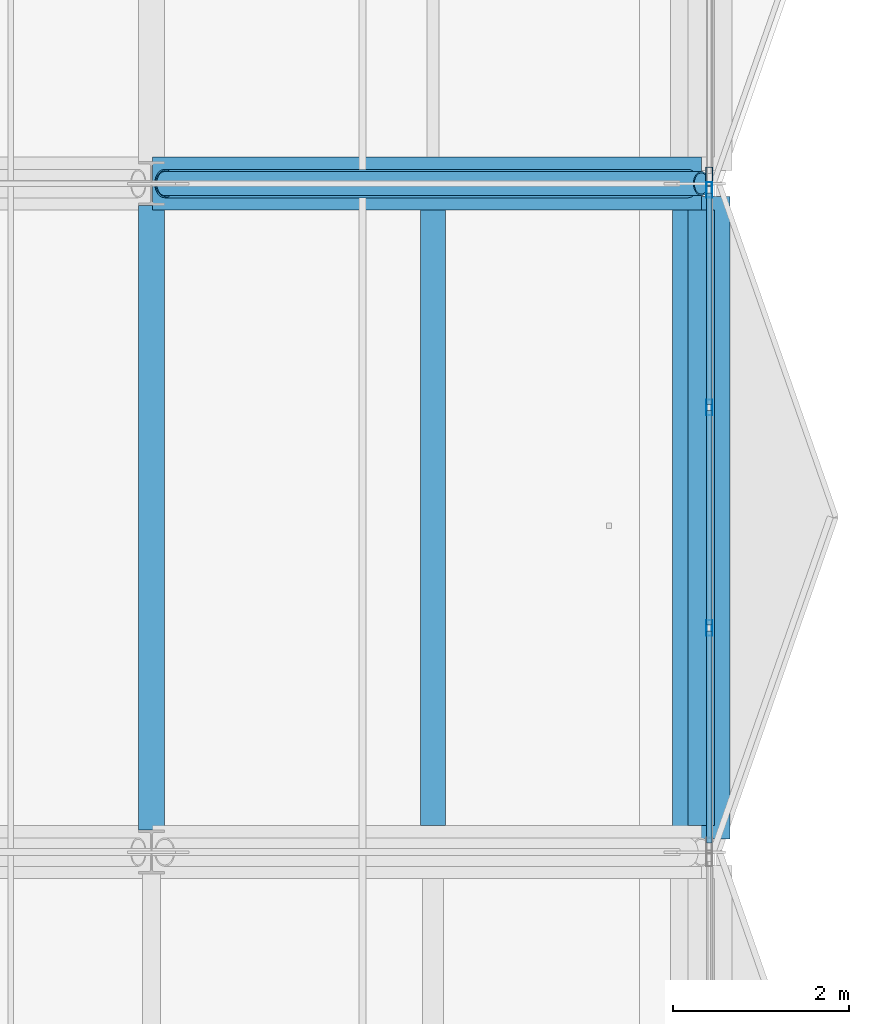
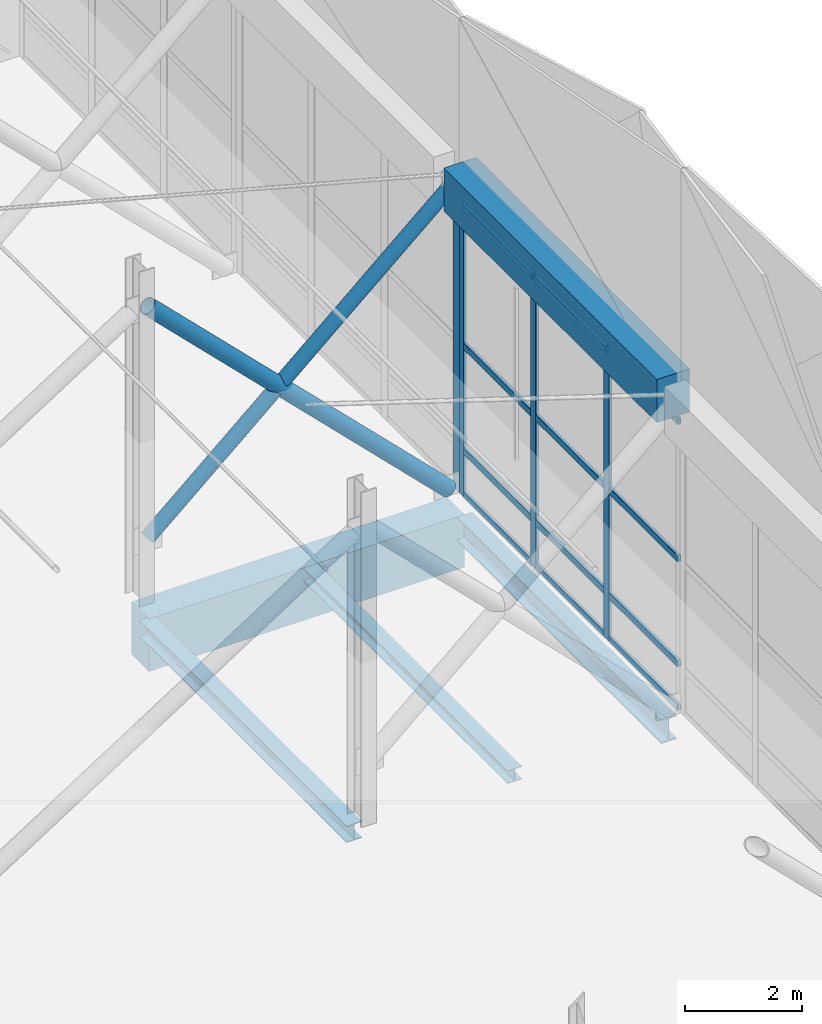
# One storey, part 10 of 46: 18 members, 5 beams, 2 elements without a shape of their own.
"""IFC4 building model written with IfcOpenShell, lengths in metres."""

from ifc_helpers import new_model, si_unit, direction, frame, origin, origin_2d, place, context, subcontext, project, spatial, rectangle, hollow_rectangle, hollow_circle, i_section, extrude, material, material_profile, profile_set, type_object, element, aggregate, save


model = new_model("IFC4")

# Units and contexts
model_context = context("Model", 3, precision=1e-05, world=origin(), true_north=direction((0.0, 1.0)))
body_context = subcontext(model_context, "Body", "Model", "MODEL_VIEW")
ifc_project = project(units=[si_unit("LENGTHUNIT", "METRE"), si_unit("AREAUNIT", "SQUARE_METRE"), si_unit("VOLUMEUNIT", "CUBIC_METRE"), si_unit("PLANEANGLEUNIT", "RADIAN"), si_unit("MASSUNIT", "GRAM", prefix="KILO")], contexts=[model_context])

# Site, building, storey
site_placement = place(None, origin())
site = spatial("IfcSite", under=ifc_project, at=site_placement, CompositionType="ELEMENT")
building_placement = place(site_placement, origin())
building = spatial("IfcBuilding", under=site, at=building_placement, Name="Khelvaren Railside Concert Hall", CompositionType="ELEMENT")
storey_placement = place(building_placement, frame((0.0, 0.0, 19.800048828125)))
storey = spatial("IfcBuildingStorey", under=building, at=storey_placement, Name="L04", CompositionType="ELEMENT", Elevation=19.800048828125)

# Beam
ifc_material_1 = material(Name="Steel S355", Category="steel")
ifc_material_profile_1 = material_profile(ifc_material_1, i_section(OverallWidth=0.300048828125, OverallDepth=0.35009765625, WebThickness=0.010009765625, FlangeThickness=0.017578125, FilletRadius=0.027099609375, at=origin_2d()), Name="HEA 360")
ifc_profile_set_1 = profile_set([ifc_material_profile_1], Name="Steel S355")
beam_type_1 = type_object("IfcBeamType", Name="BM73", PredefinedType="BEAM", material=ifc_profile_set_1)
beam_1_placement = place(storey_placement, frame((49.60009765625, 23.050048828125, -0.445068359375), z_axis=(0.0, 1.0, 0.0), x_axis=(-1.0, 0.0, 0.0)))
element("IfcBeam", 1, at=beam_1_placement, inside=storey, type_object=beam_type_1, Name="V1 L04 Beam Y7.4", PredefinedType="BEAM", context=body_context, shape_type="SweptSolid", body=[
    extrude(i_section(OverallWidth=0.300048828125, OverallDepth=0.35009765625, WebThickness=0.010009765625, FlangeThickness=0.017578125, FilletRadius=0.027099609375, at=origin_2d()), origin(), (0.0, 0.0, 1.0), 7.099853515625),
])

# Member
ifc_material_profile_2 = material_profile(ifc_material_1, hollow_circle(Radius=0.161865234375, WallThickness=0.01611328125, at=origin_2d()), Name="CHS 323.9x16")
ifc_profile_set_2 = profile_set([ifc_material_profile_2], Name="Steel S355")
member_type_1 = type_object("IfcMemberType", Name="BR78", PredefinedType="BRACE", material=ifc_profile_set_2)
member_1_placement = place(storey_placement, frame((49.75, 30.39990234375, 6.050048828125), z_axis=(0.710072403589, 0.0, -0.704128668399), x_axis=(0.0, 1.0, 0.0)))
element("IfcMember", 2, at=member_1_placement, inside=storey, type_object=member_type_1, Name="V1 L04 Plaza Cantilever Truss Diagonal 5A", PredefinedType="BRACE", context=body_context, shape_type="SweptSolid", body=[
    extrude(hollow_circle(Radius=0.161865234375, WallThickness=0.01611328125, at=origin_2d()), origin(), (0.0, 0.0, 1.0), 8.37939453125),
])

# Curtain wall, member
ifc_material_2 = material(Name="Double-glazed clear foyer glass", Category="glass")
curtain_wall_type_1 = type_object("IfcCurtainWallType", Name="CW68", PredefinedType="USERDEFINED", material=ifc_material_2)
curtain_wall_1_placement = place(storey_placement, origin())
curtain_wall_1 = element("IfcCurtainWall", 3, at=curtain_wall_1_placement, inside=storey, type_object=curtain_wall_type_1, Name="Unitised Curtain Wall CW-V1-L04-E-30", ObjectType="UNITISED CURTAIN WALL", PredefinedType="USERDEFINED")
ifc_material_3 = material(Name="Anodised architectural aluminium 6063-T6", Category="aluminium")
ifc_material_profile_3 = material_profile(ifc_material_3, hollow_rectangle(XDim=0.074951171875, YDim=0.219970703125, WallThickness=0.0048828125, InnerFilletRadius=0.0029296875, OuterFilletRadius=0.0048828125, at=origin_2d()), Name="CWM 75x220x5")
ifc_profile_set_3 = profile_set([ifc_material_profile_3], Name="Anodised architectural aluminium 6063-T6")
member_type_2 = type_object("IfcMemberType", Name="CWM13", PredefinedType="MULLION", material=ifc_profile_set_3)
member_2_placement = place(storey_placement, frame((55.93994140625, 30.4775390625, 0.0), z_axis=(0.0, 0.0, 1.0), x_axis=(1.0, 0.0, 0.0)))
member_2 = element("IfcMember", 4, at=member_2_placement, type_object=member_type_2, Name="CW68 mullion 4", PredefinedType="MULLION", context=body_context, shape_type="SweptSolid", body=[
    extrude(hollow_rectangle(XDim=0.074951171875, YDim=0.219970703125, WallThickness=0.0048828125, InnerFilletRadius=0.0029296875, OuterFilletRadius=0.0048828125, at=origin_2d()), origin(), (0.0, 0.0, 1.0), 6.050048828125),
])
aggregate(curtain_wall_1, [member_2])

# Curtain wall, members
ifc_material_4 = material(Name="Double-glazed low-E dark acoustic glass", Category="glass")
curtain_wall_type_2 = type_object("IfcCurtainWallType", Name="CW65", PredefinedType="USERDEFINED", material=ifc_material_4)
curtain_wall_2_placement = place(storey_placement, origin())
curtain_wall_2 = element("IfcCurtainWall", 5, at=curtain_wall_2_placement, inside=storey, type_object=curtain_wall_type_2, Name="Unitised Curtain Wall CW-V1-L04-E-23", ObjectType="UNITISED CURTAIN WALL", PredefinedType="USERDEFINED")
ifc_material_profile_4 = material_profile(ifc_material_3, hollow_rectangle(XDim=0.06494140625, YDim=0.179931640625, WallThickness=0.00390625, InnerFilletRadius=0.001953125, OuterFilletRadius=0.00390625, at=origin_2d()), Name="CWM 65x180x4")
ifc_profile_set_4 = profile_set([ifc_material_profile_4], Name="Anodised architectural aluminium 6063-T6")
member_type_3 = type_object("IfcMemberType", Name="CWM63", PredefinedType="MULLION", material=ifc_profile_set_4)
member_3_placement = place(storey_placement, frame((55.93994140625, 30.327392578125, 0.0), z_axis=(0.0, 0.0, 1.0), x_axis=(1.0, 0.0, 0.0)))
member_3 = element("IfcMember", 6, at=member_3_placement, type_object=member_type_3, Name="CW65 mullion 1", PredefinedType="MULLION", context=body_context, shape_type="SweptSolid", body=[
    extrude(hollow_rectangle(XDim=0.06494140625, YDim=0.179931640625, WallThickness=0.00390625, InnerFilletRadius=0.001953125, OuterFilletRadius=0.00390625, at=origin_2d()), origin(), (0.0, 0.0, 1.0), 6.050048828125),
])
member_4_placement = place(storey_placement, frame((55.93994140625, 27.853271484375, 0.0), z_axis=(0.0, 0.0, 1.0), x_axis=(1.0, 0.0, 0.0)))
member_4 = element("IfcMember", 7, at=member_4_placement, type_object=member_type_3, Name="CW65 mullion 2", PredefinedType="MULLION", context=body_context, shape_type="SweptSolid", body=[
    extrude(hollow_rectangle(XDim=0.06494140625, YDim=0.179931640625, WallThickness=0.00390625, InnerFilletRadius=0.001953125, OuterFilletRadius=0.00390625, at=origin_2d()), origin(), (0.0, 0.0, 1.0), 6.050048828125),
])
member_5_placement = place(storey_placement, frame((55.93994140625, 25.3466796875, 0.0), z_axis=(0.0, 0.0, 1.0), x_axis=(1.0, 0.0, 0.0)))
member_5 = element("IfcMember", 8, at=member_5_placement, type_object=member_type_3, Name="CW65 mullion 3", PredefinedType="MULLION", context=body_context, shape_type="SweptSolid", body=[
    extrude(hollow_rectangle(XDim=0.06494140625, YDim=0.179931640625, WallThickness=0.00390625, InnerFilletRadius=0.001953125, OuterFilletRadius=0.00390625, at=origin_2d()), origin(), (0.0, 0.0, 1.0), 6.050048828125),
])
ifc_material_profile_5 = material_profile(ifc_material_3, hollow_rectangle(XDim=0.06494140625, YDim=0.139892578125, WallThickness=0.00390625, InnerFilletRadius=0.001953125, OuterFilletRadius=0.00390625, at=origin_2d()), Name="CWT 65x140x4")
ifc_profile_set_5 = profile_set([ifc_material_profile_5], Name="Anodised architectural aluminium 6063-T6")
member_type_4 = type_object("IfcMemberType", Name="CWT72", PredefinedType="USERDEFINED", material=ifc_profile_set_5)
member_6_placement = place(storey_placement, frame((55.93994140625, 30.294921875, 0.032470703125), z_axis=(0.0, -1.0, 0.0), x_axis=(1.0, 0.0, 0.0)))
member_6 = element("IfcMember", 9, at=member_6_placement, type_object=member_type_4, Name="CW65 transom 1.1", ObjectType="TRANSOM", PredefinedType="USERDEFINED", context=body_context, shape_type="SweptSolid", body=[
    extrude(hollow_rectangle(XDim=0.06494140625, YDim=0.139892578125, WallThickness=0.00390625, InnerFilletRadius=0.001953125, OuterFilletRadius=0.00390625, at=origin_2d()), origin(), (0.0, 0.0, 1.0), 2.4091796875),
])
member_7_placement = place(storey_placement, frame((55.93994140625, 30.294921875, 0.949951171875), z_axis=(0.0, -1.0, 0.0), x_axis=(1.0, 0.0, 0.0)))
member_7 = element("IfcMember", 10, at=member_7_placement, type_object=member_type_4, Name="CW65 transom 1.2", ObjectType="TRANSOM", PredefinedType="USERDEFINED", context=body_context, shape_type="SweptSolid", body=[
    extrude(hollow_rectangle(XDim=0.06494140625, YDim=0.139892578125, WallThickness=0.00390625, InnerFilletRadius=0.001953125, OuterFilletRadius=0.00390625, at=origin_2d()), origin(), (0.0, 0.0, 1.0), 2.4091796875),
])
member_8_placement = place(storey_placement, frame((55.93994140625, 30.294921875, 3.14599609375), z_axis=(0.0, -1.0, 0.0), x_axis=(1.0, 0.0, 0.0)))
member_8 = element("IfcMember", 11, at=member_8_placement, type_object=member_type_4, Name="CW65 transom 1.3", ObjectType="TRANSOM", PredefinedType="USERDEFINED", context=body_context, shape_type="SweptSolid", body=[
    extrude(hollow_rectangle(XDim=0.06494140625, YDim=0.139892578125, WallThickness=0.00390625, InnerFilletRadius=0.001953125, OuterFilletRadius=0.00390625, at=origin_2d()), origin(), (0.0, 0.0, 1.0), 2.4091796875),
])
member_9_placement = place(storey_placement, frame((55.93994140625, 30.294921875, 6.017333984375), z_axis=(0.0, -1.0, 0.0), x_axis=(1.0, 0.0, 0.0)))
member_9 = element("IfcMember", 12, at=member_9_placement, type_object=member_type_4, Name="CW65 transom 1.4", ObjectType="TRANSOM", PredefinedType="USERDEFINED", context=body_context, shape_type="SweptSolid", body=[
    extrude(hollow_rectangle(XDim=0.06494140625, YDim=0.139892578125, WallThickness=0.00390625, InnerFilletRadius=0.001953125, OuterFilletRadius=0.00390625, at=origin_2d()), origin(), (0.0, 0.0, 1.0), 2.4091796875),
])
member_10_placement = place(storey_placement, frame((55.93994140625, 27.82080078125, 0.032470703125), z_axis=(0.0, -1.0, 0.0), x_axis=(1.0, 0.0, 0.0)))
member_10 = element("IfcMember", 13, at=member_10_placement, type_object=member_type_4, Name="CW65 transom 2.1", ObjectType="TRANSOM", PredefinedType="USERDEFINED", context=body_context, shape_type="SweptSolid", body=[
    extrude(hollow_rectangle(XDim=0.06494140625, YDim=0.139892578125, WallThickness=0.00390625, InnerFilletRadius=0.001953125, OuterFilletRadius=0.00390625, at=origin_2d()), origin(), (0.0, 0.0, 1.0), 2.441650390625),
])
member_11_placement = place(storey_placement, frame((55.93994140625, 27.82080078125, 0.949951171875), z_axis=(0.0, -1.0, 0.0), x_axis=(1.0, 0.0, 0.0)))
member_11 = element("IfcMember", 14, at=member_11_placement, type_object=member_type_4, Name="CW65 transom 2.2", ObjectType="TRANSOM", PredefinedType="USERDEFINED", context=body_context, shape_type="SweptSolid", body=[
    extrude(hollow_rectangle(XDim=0.06494140625, YDim=0.139892578125, WallThickness=0.00390625, InnerFilletRadius=0.001953125, OuterFilletRadius=0.00390625, at=origin_2d()), origin(), (0.0, 0.0, 1.0), 2.441650390625),
])
member_12_placement = place(storey_placement, frame((55.93994140625, 27.82080078125, 3.14599609375), z_axis=(0.0, -1.0, 0.0), x_axis=(1.0, 0.0, 0.0)))
member_12 = element("IfcMember", 15, at=member_12_placement, type_object=member_type_4, Name="CW65 transom 2.3", ObjectType="TRANSOM", PredefinedType="USERDEFINED", context=body_context, shape_type="SweptSolid", body=[
    extrude(hollow_rectangle(XDim=0.06494140625, YDim=0.139892578125, WallThickness=0.00390625, InnerFilletRadius=0.001953125, OuterFilletRadius=0.00390625, at=origin_2d()), origin(), (0.0, 0.0, 1.0), 2.441650390625),
])
member_13_placement = place(storey_placement, frame((55.93994140625, 27.82080078125, 6.017333984375), z_axis=(0.0, -1.0, 0.0), x_axis=(1.0, 0.0, 0.0)))
member_13 = element("IfcMember", 16, at=member_13_placement, type_object=member_type_4, Name="CW65 transom 2.4", ObjectType="TRANSOM", PredefinedType="USERDEFINED", context=body_context, shape_type="SweptSolid", body=[
    extrude(hollow_rectangle(XDim=0.06494140625, YDim=0.139892578125, WallThickness=0.00390625, InnerFilletRadius=0.001953125, OuterFilletRadius=0.00390625, at=origin_2d()), origin(), (0.0, 0.0, 1.0), 2.441650390625),
])
member_14_placement = place(storey_placement, frame((55.93994140625, 25.314208984375, 0.032470703125), z_axis=(0.0, -1.0, 0.0), x_axis=(1.0, 0.0, 0.0)))
member_14 = element("IfcMember", 17, at=member_14_placement, type_object=member_type_4, Name="CW65 transom 3.1", ObjectType="TRANSOM", PredefinedType="USERDEFINED", context=body_context, shape_type="SweptSolid", body=[
    extrude(hollow_rectangle(XDim=0.06494140625, YDim=0.139892578125, WallThickness=0.00390625, InnerFilletRadius=0.001953125, OuterFilletRadius=0.00390625, at=origin_2d()), origin(), (0.0, 0.0, 1.0), 2.4091796875),
])
member_15_placement = place(storey_placement, frame((55.93994140625, 25.314208984375, 0.949951171875), z_axis=(0.0, -1.0, 0.0), x_axis=(1.0, 0.0, 0.0)))
member_15 = element("IfcMember", 18, at=member_15_placement, type_object=member_type_4, Name="CW65 transom 3.2", ObjectType="TRANSOM", PredefinedType="USERDEFINED", context=body_context, shape_type="SweptSolid", body=[
    extrude(hollow_rectangle(XDim=0.06494140625, YDim=0.139892578125, WallThickness=0.00390625, InnerFilletRadius=0.001953125, OuterFilletRadius=0.00390625, at=origin_2d()), origin(), (0.0, 0.0, 1.0), 2.4091796875),
])
member_16_placement = place(storey_placement, frame((55.93994140625, 25.314208984375, 3.14599609375), z_axis=(0.0, -1.0, 0.0), x_axis=(1.0, 0.0, 0.0)))
member_16 = element("IfcMember", 19, at=member_16_placement, type_object=member_type_4, Name="CW65 transom 3.3", ObjectType="TRANSOM", PredefinedType="USERDEFINED", context=body_context, shape_type="SweptSolid", body=[
    extrude(hollow_rectangle(XDim=0.06494140625, YDim=0.139892578125, WallThickness=0.00390625, InnerFilletRadius=0.001953125, OuterFilletRadius=0.00390625, at=origin_2d()), origin(), (0.0, 0.0, 1.0), 2.4091796875),
])
member_17_placement = place(storey_placement, frame((55.93994140625, 25.314208984375, 6.017333984375), z_axis=(0.0, -1.0, 0.0), x_axis=(1.0, 0.0, 0.0)))
member_17 = element("IfcMember", 20, at=member_17_placement, type_object=member_type_4, Name="CW65 transom 3.4", ObjectType="TRANSOM", PredefinedType="USERDEFINED", context=body_context, shape_type="SweptSolid", body=[
    extrude(hollow_rectangle(XDim=0.06494140625, YDim=0.139892578125, WallThickness=0.00390625, InnerFilletRadius=0.001953125, OuterFilletRadius=0.00390625, at=origin_2d()), origin(), (0.0, 0.0, 1.0), 2.4091796875),
])
aggregate(curtain_wall_2, [member_3, member_4, member_5, member_6, member_7, member_8, member_9, member_10, member_11, member_12, member_13, member_14, member_15, member_16, member_17])

# Beams
ifc_material_5 = material(Name="Concrete C40/50", Category="concrete")
ifc_material_profile_6 = material_profile(ifc_material_5, rectangle(XDim=0.60009765625, YDim=1.10009765625, at=origin_2d()), Name="RCB 600x1100")
ifc_profile_set_6 = profile_set([ifc_material_profile_6], Name="Concrete C40/50")
beam_type_2 = type_object("IfcBeamType", Name="GR15", PredefinedType="T_BEAM", material=ifc_profile_set_6)
beam_2_placement = place(storey_placement, frame((49.610107421875, 30.39990234375, -0.820068359375), z_axis=(1.0, 0.0, 0.0), x_axis=(0.0, 1.0, 0.0)))
element("IfcBeam", 21, at=beam_2_placement, inside=storey, type_object=beam_type_2, Name="V1 L04 Arrival Cantilever Girder 5", PredefinedType="T_BEAM", context=body_context, shape_type="SweptSolid", body=[
    extrude(rectangle(XDim=0.60009765625, YDim=1.10009765625, at=origin_2d()), origin(), (0.0, 0.0, 1.0), 6.239990234375),
])
ifc_material_profile_7 = material_profile(ifc_material_1, i_section(OverallWidth=0.280029296875, OverallDepth=0.27001953125, WebThickness=0.008056640625, FlangeThickness=0.012939453125, FilletRadius=0.02392578125, at=origin_2d()), Name="HEA 280")
ifc_profile_set_7 = profile_set([ifc_material_profile_7], Name="Steel S355")
beam_type_3 = type_object("IfcBeamType", Name="JS46", PredefinedType="JOIST", material=ifc_profile_set_7)
beam_3_placement = place(storey_placement, frame((52.800048828125, 23.10009765625, -0.405029296875), z_axis=(0.0, 1.0, 0.0), x_axis=(-1.0, 0.0, 0.0)))
element("IfcBeam", 22, at=beam_3_placement, inside=storey, type_object=beam_type_3, Name="V1 L04 Secondary Joist 7.4", PredefinedType="JOIST", context=body_context, shape_type="SweptSolid", body=[
    extrude(i_section(OverallWidth=0.280029296875, OverallDepth=0.27001953125, WebThickness=0.008056640625, FlangeThickness=0.012939453125, FilletRadius=0.02392578125, at=origin_2d()), origin(), (0.0, 0.0, 1.0), 7.0),
])
ifc_material_profile_8 = material_profile(ifc_material_5, rectangle(XDim=0.64990234375, YDim=0.89990234375, at=origin_2d()), Name="RCB 650x900")
ifc_profile_set_8 = profile_set([ifc_material_profile_8], Name="Concrete C40/50")
beam_type_4 = type_object("IfcBeamType", Name="RB88", PredefinedType="USERDEFINED", material=ifc_profile_set_8)
beam_4_placement = place(storey_placement, frame((55.85009765625, 22.949951171875, 6.550048828125), z_axis=(0.0, 1.0, 0.0), x_axis=(-1.0, 0.0, 0.0)))
element("IfcBeam", 23, at=beam_4_placement, inside=storey, type_object=beam_type_4, Name="Main Hall Compression Ring Beam 24", ObjectType="RING BEAM", PredefinedType="USERDEFINED", context=body_context, shape_type="SweptSolid", body=[
    extrude(rectangle(XDim=0.64990234375, YDim=0.89990234375, at=origin_2d()), origin(), (0.0, 0.0, 1.0), 7.300048828125),
])

# Member
ifc_material_profile_9 = material_profile(ifc_material_1, hollow_circle(Radius=0.136474609375, WallThickness=0.01611328125, at=origin_2d()), Name="CHS 273x16")
ifc_profile_set_9 = profile_set([ifc_material_profile_9], Name="Steel S355")
member_type_5 = type_object("IfcMemberType", Name="RSU43", PredefinedType="STRUT", material=ifc_profile_set_9)
member_18_placement = place(storey_placement, frame((49.75, 30.39990234375, 1.199951171875), z_axis=(0.75181197221, 0.0, 0.65937755379), x_axis=(0.0, 1.0, 0.0)))
element("IfcMember", 24, at=member_18_placement, inside=storey, type_object=member_type_5, Name="Main Hall East Cantilever Ring Strut 5", PredefinedType="STRUT", context=body_context, shape_type="SweptSolid", body=[
    extrude(hollow_circle(Radius=0.136474609375, WallThickness=0.01611328125, at=origin_2d()), origin(), (0.0, 0.0, 1.0), 8.11376953125),
])

# Beam
ifc_material_profile_10 = material_profile(ifc_material_1, i_section(OverallWidth=0.300048828125, OverallDepth=0.5, WebThickness=0.014404296875, FlangeThickness=0.028076171875, FilletRadius=0.027099609375, at=origin_2d()), Name="HEB 500")
ifc_profile_set_10 = profile_set([ifc_material_profile_10], Name="Steel S355")
beam_type_5 = type_object("IfcBeamType", Name="SP12", PredefinedType="SPANDREL", material=ifc_profile_set_10)
beam_5_placement = place(storey_placement, frame((55.85009765625, 23.10009765625, -0.52001953125), z_axis=(0.0, 1.0, 0.0), x_axis=(-1.0, 0.0, 0.0)))
element("IfcBeam", 25, at=beam_5_placement, inside=storey, type_object=beam_type_5, Name="V1 L04 Cantilever Tip Spandrel Y4", PredefinedType="SPANDREL", context=body_context, shape_type="SweptSolid", body=[
    extrude(i_section(OverallWidth=0.300048828125, OverallDepth=0.5, WebThickness=0.014404296875, FlangeThickness=0.028076171875, FilletRadius=0.027099609375, at=origin_2d()), origin(), (0.0, 0.0, 1.0), 7.0),
])

save(model, "model.ifc")
